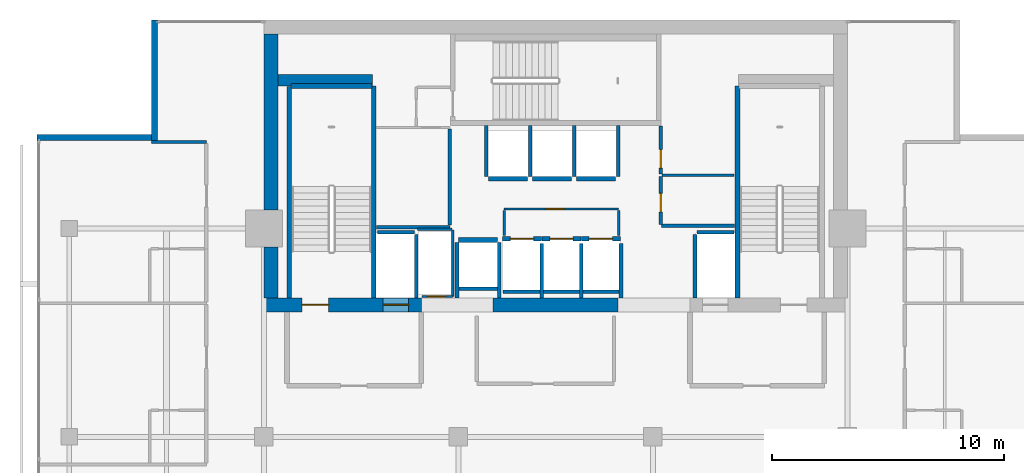
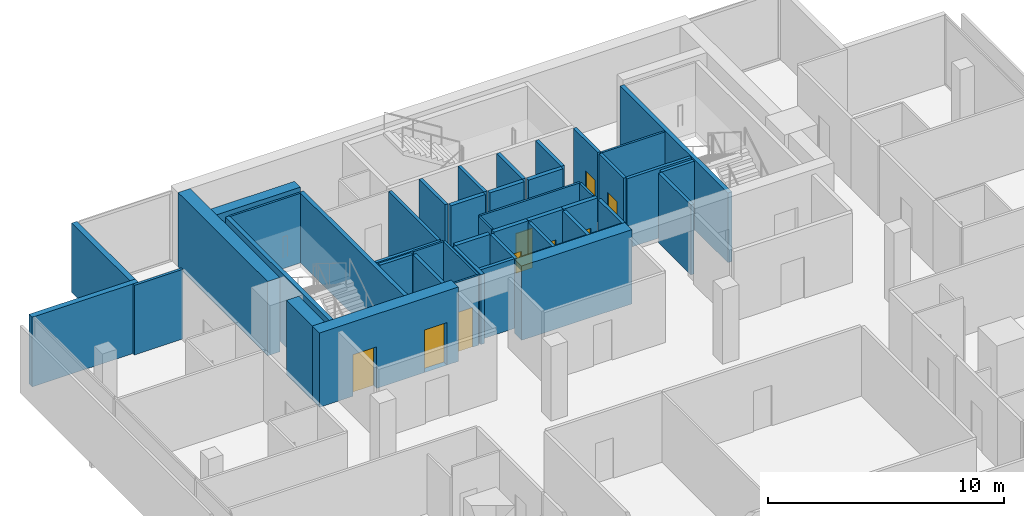
# One storey, part 22 of 25: 46 walls, 9 doors, 9 openings.
"""IFC4 building model written with IfcOpenShell, lengths in metres."""

from ifc_helpers import new_model, si_unit, direction, frame, frame_2d, origin, place, context, subcontext, project, spatial, rectangle, extrude, material, layer, layer_set, type_object, element, fill, save


model = new_model("IFC4")

# Units and contexts
model_context = context("Model", 3, precision=1e-05, world=origin(), true_north=direction((0.0, 1.0)))
body_context = subcontext(model_context, "Body", "Model", "MODEL_VIEW")
ifc_project = project(units=[si_unit("LENGTHUNIT", "METRE"), si_unit("AREAUNIT", "SQUARE_METRE"), si_unit("VOLUMEUNIT", "CUBIC_METRE"), si_unit("PLANEANGLEUNIT", "RADIAN"), si_unit("MASSUNIT", "GRAM", prefix="KILO")], contexts=[model_context])

# Site, building, storey
site_placement = place(None, origin())
site = spatial("IfcSite", under=ifc_project, at=site_placement, CompositionType="ELEMENT")
building_placement = place(site_placement, origin())
building = spatial("IfcBuilding", under=site, at=building_placement, Name="Maruvema Waterfront Hotel and Observation Tower", CompositionType="ELEMENT")
storey_placement = place(building_placement, frame((0.0, 0.0, 247.10009765625)))
storey = spatial("IfcBuildingStorey", under=building, at=storey_placement, Name="L60", CompositionType="ELEMENT", Elevation=247.10009765625)

# Walls
ifc_material_1 = material(Name="Twin-stud acoustic gypsum drywall", Category="gypsum")
ifc_layer_1 = layer(ifc_material_1, 0.14990234375, Name="Acoustic Corridor and Suite Demising Wall 150 mm")
ifc_layer_set_1 = layer_set([ifc_layer_1], Name="Twin-stud acoustic gypsum drywall")
wall_type_1 = type_object("IfcWallType", Name="Acoustic Corridor and Suite Demising Wall 150 mm", PredefinedType="PARTITIONING", material=ifc_layer_set_1)
wall_1_placement = place(storey_placement, frame((30.06005859375, 45.06005859375, 0.0), z_axis=(0.0, 0.0, 1.0), x_axis=(1.0, 0.0, 0.0)))
element("IfcWall", 1, at=wall_1_placement, inside=storey, type_object=wall_type_1, Name="L60 Freed B1 South Wall 013", PredefinedType="PARTITIONING", context=body_context, shape_type="SweptSolid", body=[
    extrude(rectangle(XDim=3.179931640625, YDim=0.14990234375, at=frame_2d((1.58984375, 0.0))), origin(), (0.0, 0.0, 1.0), 3.60986328125),
])
wall_2_placement = place(storey_placement, frame((33.219970703125, 45.139892578125, 0.0), z_axis=(0.0, 0.0, 1.0), x_axis=(0.0, 1.0, 0.0)))
element("IfcWall", 2, at=wall_2_placement, inside=storey, type_object=wall_type_1, Name="L60 Freed B1 East Wall 014", PredefinedType="PARTITIONING", context=body_context, shape_type="SweptSolid", body=[
    extrude(rectangle(XDim=4.16015625, YDim=0.14990234375, at=frame_2d((2.080078125, 0.0))), origin(), (0.0, 0.0, 1.0), 3.60986328125),
])

# Wall, opening, door
wall_3_placement = place(storey_placement, frame((42.340087890625, 45.159912109375, 0.0), z_axis=(0.0, 0.0, 1.0), x_axis=(0.0, 1.0, 0.0)))
wall_3 = element("IfcWall", 3, at=wall_3_placement, inside=storey, type_object=wall_type_1, Name="L60 Freed B2 West S 018", PredefinedType="PARTITIONING", context=body_context, shape_type="SweptSolid", body=[
    extrude(rectangle(XDim=2.080078125, YDim=0.14990234375, at=frame_2d((1.0400390625, 0.0))), origin(), (0.0, 0.0, 1.0), 3.60986328125),
])
opening_1_placement = place(wall_3_placement, frame((0.550048828125, 0.0, 0.0)))
opening_1 = element("IfcOpeningElement", 4, at=opening_1_placement, cuts=wall_3, Name="Opening DR-080", PredefinedType="OPENING", context=body_context, shape_type="SweptSolid", body=[
    extrude(rectangle(XDim=0.800048828125, YDim=2.050048828125, at=frame_2d((0.39990234375, 1.02490234375))), frame((0.0, 0.0849609375, 0.0), z_axis=(0.0, -1.0, 0.0), x_axis=(1.0, 0.0, 0.0)), (0.0, 0.0, 1.0), 0.169921875),
])
ifc_material_2 = material(Name="Powder-coated steel access leaf", Category="steel")
door_type_1 = type_object("IfcDoorType", Name="Riser and Service Cupboard Door 800x2050 mm", OperationType="NOTDEFINED", PredefinedType="DOOR", material=ifc_material_2)
door_1_placement = place(opening_1_placement, frame((0.800048828125, 0.0, 0.0), z_axis=(0.0, 0.0, 1.0), x_axis=(-1.0, 0.0, 0.0)))
door_1 = element("IfcDoor", 5, at=door_1_placement, inside=storey, type_object=door_type_1, Name="L60 Butler Service Pantry Door", OperationType="SINGLE_SWING_RIGHT", OverallHeight=2.050048828125, OverallWidth=0.800048828125, PredefinedType="DOOR", context=body_context, shape_type="SweptSolid", body=[
    extrude(rectangle(XDim=0.800048828125, YDim=2.050048828125, at=frame_2d((0.39990234375, 1.02490234375))), frame((0.0, 0.02490234375, 0.0), z_axis=(0.0, -1.0, 0.0), x_axis=(1.0, 0.0, 0.0)), (0.0, 0.0, 1.0), 0.050048828125),
])
fill(opening_1, door_1)

wall_4_placement = place(storey_placement, frame((42.340087890625, 47.360107421875, 0.0), z_axis=(0.0, 0.0, 1.0), x_axis=(0.0, 1.0, 0.0)))
wall_4 = element("IfcWall", 6, at=wall_4_placement, inside=storey, type_object=wall_type_1, Name="L60 Freed B2 West N 019", PredefinedType="PARTITIONING", context=body_context, shape_type="SweptSolid", body=[
    extrude(rectangle(XDim=2.059814453125, YDim=0.14990234375, at=frame_2d((1.02978515625, 0.0))), origin(), (0.0, 0.0, 1.0), 3.60986328125),
])
opening_2_placement = place(wall_4_placement, frame((0.239990234375, 0.0, 0.0)))
opening_2 = element("IfcOpeningElement", 7, at=opening_2_placement, cuts=wall_4, Name="Opening DR-080", PredefinedType="OPENING", context=body_context, shape_type="SweptSolid", body=[
    extrude(rectangle(XDim=0.800048828125, YDim=2.050048828125, at=frame_2d((0.39990234375, 1.02490234375))), frame((0.0, 0.0849609375, 0.0), z_axis=(0.0, -1.0, 0.0), x_axis=(1.0, 0.0, 0.0)), (0.0, 0.0, 1.0), 0.169921875),
])
door_2_placement = place(opening_2_placement, frame((0.800048828125, 0.0, 0.0), z_axis=(0.0, 0.0, 1.0), x_axis=(-1.0, 0.0, 0.0)))
door_2 = element("IfcDoor", 8, at=door_2_placement, inside=storey, type_object=door_type_1, Name="L60 Core IT and Linen Store Door", OperationType="SINGLE_SWING_LEFT", OverallHeight=2.050048828125, OverallWidth=0.800048828125, PredefinedType="DOOR", context=body_context, shape_type="SweptSolid", body=[
    extrude(rectangle(XDim=0.800048828125, YDim=2.050048828125, at=frame_2d((0.39990234375, 1.02490234375))), frame((0.0, 0.02490234375, 0.0), z_axis=(0.0, -1.0, 0.0), x_axis=(1.0, 0.0, 0.0)), (0.0, 0.0, 1.0), 0.050048828125),
])
fill(opening_2, door_2)

# Walls
wall_5_placement = place(storey_placement, frame((42.3798828125, 45.1201171875, 0.0), z_axis=(0.0, 0.0, 1.0), x_axis=(1.0, 0.0, 0.0)))
element("IfcWall", 9, at=wall_5_placement, inside=storey, type_object=wall_type_1, Name="L60 Freed B2 South Wall 021", PredefinedType="PARTITIONING", context=body_context, shape_type="SweptSolid", body=[
    extrude(rectangle(XDim=3.14013671875, YDim=0.14990234375, at=frame_2d((1.570068359375, 0.0))), origin(), (0.0, 0.0, 1.0), 3.60986328125),
])
ifc_material_3 = material(Name="Precast concrete C45/55", Category="concrete")
ifc_layer_2 = layer(ifc_material_3, 0.199951171875, Name="Core Shaft and Stairwell Enclosure Wall 200 mm")
ifc_layer_set_2 = layer_set([ifc_layer_2], Name="Precast concrete C45/55")
wall_type_2 = type_object("IfcWallType", Name="Core Shaft and Stairwell Enclosure Wall 200 mm", PredefinedType="SOLIDWALL", material=ifc_layer_set_2)
wall_6_placement = place(storey_placement, frame((29.949951171875, 42.0, 0.0), z_axis=(0.0, 0.0, 1.0), x_axis=(0.0, 1.0, 0.0)))
element("IfcWall", 10, at=wall_6_placement, inside=storey, type_object=wall_type_2, Name="L60 Stairwell ST-01 East Shaft Wall", PredefinedType="SOLIDWALL", context=body_context, shape_type="SweptSolid", body=[
    extrude(rectangle(XDim=9.14990234375, YDim=0.199951171875, at=frame_2d((4.574951171875, 0.0))), origin(), (0.0, 0.0, 1.0), 3.60986328125),
])
wall_7_placement = place(storey_placement, frame((26.300048828125, 42.0, 0.0), z_axis=(0.0, 0.0, 1.0), x_axis=(0.0, 1.0, 0.0)))
element("IfcWall", 11, at=wall_7_placement, inside=storey, type_object=wall_type_2, Name="L60 Stairwell ST-01 Shaft Lining Wall", PredefinedType="SOLIDWALL", context=body_context, shape_type="SweptSolid", body=[
    extrude(rectangle(XDim=9.1201171875, YDim=0.199951171875, at=frame_2d((4.56005859375, 0.0))), origin(), (0.0, 0.0, 1.0), 3.60986328125),
])
wall_8_placement = place(storey_placement, frame((26.3798828125, 51.14990234375, 0.0), z_axis=(0.0, 0.0, 1.0), x_axis=(1.0, 0.0, 0.0)))
element("IfcWall", 12, at=wall_8_placement, inside=storey, type_object=wall_type_2, Name="L60 Stairwell ST-01 Shaft Lining Wall", PredefinedType="SOLIDWALL", context=body_context, shape_type="SweptSolid", body=[
    extrude(rectangle(XDim=3.5, YDim=0.199951171875, at=frame_2d((1.75, 0.0))), origin(), (0.0, 0.0, 1.0), 3.60986328125),
])
wall_9_placement = place(storey_placement, frame((45.64990234375, 42.0, 0.0), z_axis=(0.0, 0.0, 1.0), x_axis=(0.0, 1.0, 0.0)))
element("IfcWall", 13, at=wall_9_placement, inside=storey, type_object=wall_type_2, Name="L60 Stairwell ST-03 West Shaft Wall", PredefinedType="SOLIDWALL", context=body_context, shape_type="SweptSolid", body=[
    extrude(rectangle(XDim=9.14990234375, YDim=0.199951171875, at=frame_2d((4.574951171875, 0.0))), origin(), (0.0, 0.0, 1.0), 3.60986328125),
])

# Wall, opening, door
wall_10_placement = place(storey_placement, frame((35.510009765625, 44.550048828125, 0.0), z_axis=(0.0, 0.0, 1.0), x_axis=(1.0, 0.0, 0.0)))
wall_10 = element("IfcWall", 14, at=wall_10_placement, inside=storey, type_object=wall_type_2, Name="L60 Lift LF-09 Hoistway Front Wall", PredefinedType="SOLIDWALL", context=body_context, shape_type="SweptSolid", body=[
    extrude(rectangle(XDim=1.679931640625, YDim=0.199951171875, at=frame_2d((0.83984375, 0.0))), origin(), (0.0, 0.0, 1.0), 3.60986328125),
])
opening_3_placement = place(wall_10_placement, frame((0.340087890625, 0.0, 0.0)))
opening_3 = element("IfcOpeningElement", 15, at=opening_3_placement, cuts=wall_10, Name="Opening LD-01", PredefinedType="OPENING", context=body_context, shape_type="SweptSolid", body=[
    extrude(rectangle(XDim=1.0, YDim=2.14990234375, at=frame_2d((0.5, 1.074951171875))), frame((0.0, 0.10986328125, 0.0), z_axis=(0.0, -1.0, 0.0), x_axis=(1.0, 0.0, 0.0)), (0.0, 0.0, 1.0), 0.219970703125),
])
ifc_material_4 = material(Name="Brushed stainless steel Grade 316", Category="steel")
door_type_2 = type_object("IfcDoorType", Name="Passenger Lift Sliding Landing Door 1000x2150 mm", OperationType="SLIDING_TO_LEFT", PredefinedType="DOOR", material=ifc_material_4)
door_3_placement = place(opening_3_placement, origin())
door_3 = element("IfcDoor", 16, at=door_3_placement, inside=storey, type_object=door_type_2, Name="L60 Lift LF-09 Sliding Landing Door", OperationType="SLIDING_TO_LEFT", OverallHeight=2.14990234375, OverallWidth=1.0, PredefinedType="DOOR", context=body_context, shape_type="SweptSolid", body=[
    extrude(rectangle(XDim=1.0, YDim=2.14990234375, at=frame_2d((0.5, 1.074951171875))), frame((0.0, 0.02490234375, 0.0), z_axis=(0.0, -1.0, 0.0), x_axis=(1.0, 0.0, 0.0)), (0.0, 0.0, 1.0), 0.050048828125),
])
fill(opening_3, door_3)

wall_11_placement = place(storey_placement, frame((37.2099609375, 44.550048828125, 0.0), z_axis=(0.0, 0.0, 1.0), x_axis=(1.0, 0.0, 0.0)))
wall_11 = element("IfcWall", 17, at=wall_11_placement, inside=storey, type_object=wall_type_2, Name="L60 Lift LF-10 Hoistway Front Wall", PredefinedType="SOLIDWALL", context=body_context, shape_type="SweptSolid", body=[
    extrude(rectangle(XDim=1.679931640625, YDim=0.199951171875, at=frame_2d((0.83984375, 0.0))), origin(), (0.0, 0.0, 1.0), 3.60986328125),
])
opening_4_placement = place(wall_11_placement, frame((0.340087890625, 0.0, 0.0)))
opening_4 = element("IfcOpeningElement", 18, at=opening_4_placement, cuts=wall_11, Name="Opening LD-01", PredefinedType="OPENING", context=body_context, shape_type="SweptSolid", body=[
    extrude(rectangle(XDim=1.0, YDim=2.14990234375, at=frame_2d((0.5, 1.074951171875))), frame((0.0, 0.10986328125, 0.0), z_axis=(0.0, -1.0, 0.0), x_axis=(1.0, 0.0, 0.0)), (0.0, 0.0, 1.0), 0.219970703125),
])
door_4_placement = place(opening_4_placement, origin())
door_4 = element("IfcDoor", 19, at=door_4_placement, inside=storey, type_object=door_type_2, Name="L60 Lift LF-10 Sliding Landing Door", OperationType="SLIDING_TO_LEFT", OverallHeight=2.14990234375, OverallWidth=1.0, PredefinedType="DOOR", context=body_context, shape_type="SweptSolid", body=[
    extrude(rectangle(XDim=1.0, YDim=2.14990234375, at=frame_2d((0.5, 1.074951171875))), frame((0.0, 0.02490234375, 0.0), z_axis=(0.0, -1.0, 0.0), x_axis=(1.0, 0.0, 0.0)), (0.0, 0.0, 1.0), 0.050048828125),
])
fill(opening_4, door_4)

wall_12_placement = place(storey_placement, frame((38.909912109375, 44.550048828125, 0.0), z_axis=(0.0, 0.0, 1.0), x_axis=(1.0, 0.0, 0.0)))
wall_12 = element("IfcWall", 20, at=wall_12_placement, inside=storey, type_object=wall_type_2, Name="L60 Lift LF-11 Hoistway Front Wall", PredefinedType="SOLIDWALL", context=body_context, shape_type="SweptSolid", body=[
    extrude(rectangle(XDim=1.68017578125, YDim=0.199951171875, at=frame_2d((0.840087890625, 0.0))), origin(), (0.0, 0.0, 1.0), 3.60986328125),
])
opening_5_placement = place(wall_12_placement, frame((0.340087890625, 0.0, 0.0)))
opening_5 = element("IfcOpeningElement", 21, at=opening_5_placement, cuts=wall_12, Name="Opening LD-01", PredefinedType="OPENING", context=body_context, shape_type="SweptSolid", body=[
    extrude(rectangle(XDim=1.0, YDim=2.14990234375, at=frame_2d((0.5, 1.074951171875))), frame((0.0, 0.10986328125, 0.0), z_axis=(0.0, -1.0, 0.0), x_axis=(1.0, 0.0, 0.0)), (0.0, 0.0, 1.0), 0.219970703125),
])
door_5_placement = place(opening_5_placement, origin())
door_5 = element("IfcDoor", 22, at=door_5_placement, inside=storey, type_object=door_type_2, Name="L60 Lift LF-11 Sliding Landing Door", OperationType="SLIDING_TO_LEFT", OverallHeight=2.14990234375, OverallWidth=1.0, PredefinedType="DOOR", context=body_context, shape_type="SweptSolid", body=[
    extrude(rectangle(XDim=1.0, YDim=2.14990234375, at=frame_2d((0.5, 1.074951171875))), frame((0.0, 0.02490234375, 0.0), z_axis=(0.0, -1.0, 0.0), x_axis=(1.0, 0.0, 0.0)), (0.0, 0.0, 1.0), 0.050048828125),
])
fill(opening_5, door_5)

# Walls
wall_13_placement = place(storey_placement, frame((34.909912109375, 47.14990234375, 0.0), z_axis=(0.0, 0.0, 1.0), x_axis=(1.0, 0.0, 0.0)))
element("IfcWall", 23, at=wall_13_placement, inside=storey, type_object=wall_type_2, Name="L60 Lift LF-12 Hoistway Front Wall", PredefinedType="SOLIDWALL", context=body_context, shape_type="SweptSolid", body=[
    extrude(rectangle(XDim=1.68017578125, YDim=0.199951171875, at=frame_2d((0.840087890625, 0.0))), origin(), (0.0, 0.0, 1.0), 3.60986328125),
])
for number, where, z_axis, x_axis, name in (
    (24, (36.81005859375, 47.14990234375, 0.0), (0.0, 0.0, 1.0), (1.0, 0.0, 0.0), "L60 Lift LF-13 Hoistway Front Wall"),
    (25, (38.7099609375, 47.14990234375, 0.0), (0.0, 0.0, 1.0), (1.0, 0.0, 0.0), "L60 Lift LF-14 Hoistway Front Wall"),
    (26, (33.610107421875, 44.5, 0.0), (0.0, 0.0, 1.0), (1.0, 0.0, 0.0), "L60 Lift LF-15 Hoistway Front Wall"),
):
    element("IfcWall", number, at=place(storey_placement, frame(where, z_axis=z_axis, x_axis=x_axis)), inside=storey, type_object=wall_type_2, Name=name, PredefinedType="SOLIDWALL", context=body_context, shape_type="SweptSolid", body=[
        extrude(rectangle(XDim=1.679931640625, YDim=0.199951171875, at=frame_2d((0.83984375, 0.0))), origin(), (0.0, 0.0, 1.0), 3.60986328125),
    ])
ifc_material_5 = material(Name="Concrete C70/85", Category="concrete")
ifc_layer_3 = layer(ifc_material_5, 0.5, Name="Core Shear Wall 500 mm")
ifc_layer_set_3 = layer_set([ifc_layer_3], Name="Concrete C70/85")
wall_type_3 = type_object("IfcWallType", Name="Core Shear Wall 500 mm", PredefinedType="SHEAR", material=ifc_layer_set_3)
wall_14_placement = place(storey_placement, frame((25.800048828125, 51.39990234375, 0.0), z_axis=(0.0, 0.0, 1.0), x_axis=(1.0, 0.0, 0.0)))
element("IfcWall", 27, at=wall_14_placement, inside=storey, type_object=wall_type_3, Name="L60 Internal Core Shear Wall NW 500 mm", PredefinedType="SHEAR", context=body_context, shape_type="SweptSolid", body=[
    extrude(rectangle(XDim=4.099853515625, YDim=0.5, at=frame_2d((2.0498046875, 0.0))), origin(), (0.0, 0.0, 1.0), 3.849853515625),
])

# Wall, openings, doors
ifc_material_6 = material(Name="Concrete C60/75", Category="concrete")
ifc_layer_4 = layer(ifc_material_6, 0.60009765625, Name="Core Shear Wall 600 mm")
ifc_layer_set_4 = layer_set([ifc_layer_4], Name="Concrete C60/75")
wall_type_4 = type_object("IfcWallType", Name="Core Shear Wall 600 mm", PredefinedType="SHEAR", material=ifc_layer_set_4)
wall_15_placement = place(storey_placement, frame((25.199951171875, 41.699951171875, 0.0), z_axis=(0.0, 0.0, 1.0), x_axis=(1.0, 0.0, 0.0)))
wall_15 = element("IfcWall", 28, at=wall_15_placement, inside=storey, type_object=wall_type_4, Name="L60 South-West Core Shear Wall", PredefinedType="SHEAR", context=body_context, shape_type="SweptSolid", body=[
    extrude(rectangle(XDim=6.800048828125, YDim=0.60009765625, at=frame_2d((3.39990234375, 0.0))), origin(), (0.0, 0.0, 1.0), 3.849853515625),
])
opening_6_placement = place(wall_15_placement, frame((1.64990234375, 0.0, 0.0)))
opening_6 = element("IfcOpeningElement", 29, at=opening_6_placement, cuts=wall_15, Name="Opening SD-01", PredefinedType="OPENING", context=body_context, shape_type="SweptSolid", body=[
    extrude(rectangle(XDim=1.14990234375, YDim=2.14990234375, at=frame_2d((0.574951171875, 1.074951171875))), frame((0.0, 0.31005859375, 0.0), z_axis=(0.0, -1.0, 0.0), x_axis=(1.0, 0.0, 0.0)), (0.0, 0.0, 1.0), 0.6201171875),
])
opening_7_placement = place(wall_15_placement, frame((5.14990234375, 0.0, 0.0)))
opening_7 = element("IfcOpeningElement", 30, at=opening_7_placement, cuts=wall_15, Name="Opening LD-03", PredefinedType="OPENING", context=body_context, shape_type="SweptSolid", body=[
    extrude(rectangle(XDim=1.10009765625, YDim=2.199951171875, at=frame_2d((0.550048828125, 1.10009765625))), frame((0.0, 0.31005859375, 0.0), z_axis=(0.0, -1.0, 0.0), x_axis=(1.0, 0.0, 0.0)), (0.0, 0.0, 1.0), 0.6201171875),
])
ifc_material_7 = material(Name="Fire-rated galvanised steel leaf", Category="steel")
door_type_3 = type_object("IfcDoorType", Name="Exit Stair Fire Door 1150x2150 mm", OperationType="NOTDEFINED", PredefinedType="DOOR", material=ifc_material_7)
door_6_placement = place(opening_6_placement, origin())
door_6 = element("IfcDoor", 31, at=door_6_placement, inside=storey, type_object=door_type_3, Name="L60 Exit Stair ST-01 Fire Door", OperationType="SINGLE_SWING_LEFT", OverallHeight=2.14990234375, OverallWidth=1.14990234375, PredefinedType="DOOR", context=body_context, shape_type="SweptSolid", body=[
    extrude(rectangle(XDim=1.14990234375, YDim=2.14990234375, at=frame_2d((0.574951171875, 1.074951171875))), frame((0.0, 0.02490234375, 0.0), z_axis=(0.0, -1.0, 0.0), x_axis=(1.0, 0.0, 0.0)), (0.0, 0.0, 1.0), 0.050048828125),
])
fill(opening_6, door_6)
ifc_material_8 = material(Name="Brushed stainless steel Grade 316", Category="steel")
door_type_4 = type_object("IfcDoorType", Name="Firefighting Lift Sliding Landing Door 1100x2200 mm", OperationType="SLIDING_TO_LEFT", PredefinedType="DOOR", material=ifc_material_8)
door_7_placement = place(opening_7_placement, frame((1.10009765625, 0.0, 0.0), z_axis=(0.0, 0.0, 1.0), x_axis=(-1.0, 0.0, 0.0)))
door_7 = element("IfcDoor", 32, at=door_7_placement, inside=storey, type_object=door_type_4, Name="L60 Firefighting Lift FL-01 Landing Door", OperationType="SLIDING_TO_LEFT", OverallHeight=2.199951171875, OverallWidth=1.10009765625, PredefinedType="DOOR", context=body_context, shape_type="SweptSolid", body=[
    extrude(rectangle(XDim=1.10009765625, YDim=2.199951171875, at=frame_2d((0.550048828125, 1.10009765625))), frame((0.0, 0.02490234375, 0.0), z_axis=(0.0, -1.0, 0.0), x_axis=(1.0, 0.0, 0.0)), (0.0, 0.0, 1.0), 0.050048828125),
])
fill(opening_7, door_7)

# Walls
wall_16_placement = place(storey_placement, frame((35.10009765625, 41.699951171875, 0.0), z_axis=(0.0, 0.0, 1.0), x_axis=(1.0, 0.0, 0.0)))
element("IfcWall", 33, at=wall_16_placement, inside=storey, type_object=wall_type_4, Name="L60 South-Central Core Shear Wall", PredefinedType="SHEAR", context=body_context, shape_type="SweptSolid", body=[
    extrude(rectangle(XDim=5.39990234375, YDim=0.60009765625, at=frame_2d((2.699951171875, 0.0))), origin(), (0.0, 0.0, 1.0), 3.849853515625),
])
wall_17_placement = place(storey_placement, frame((25.5, 42.0, 0.0), z_axis=(0.0, 0.0, 1.0), x_axis=(0.0, 1.0, 0.0)))
element("IfcWall", 34, at=wall_17_placement, inside=storey, type_object=wall_type_4, Name="L60 West-South Core Shear Wall", PredefinedType="SHEAR", context=body_context, shape_type="SweptSolid", body=[
    extrude(rectangle(XDim=2.199951171875, YDim=0.60009765625, at=frame_2d((1.10009765625, 0.0))), origin(), (0.0, 0.0, 1.0), 3.849853515625),
])
wall_18_placement = place(storey_placement, frame((25.5, 45.800048828125, 0.0), z_axis=(0.0, 0.0, 1.0), x_axis=(0.0, 1.0, 0.0)))
element("IfcWall", 35, at=wall_18_placement, inside=storey, type_object=wall_type_4, Name="L60 West-North Core Shear Wall", PredefinedType="SHEAR", context=body_context, shape_type="SweptSolid", body=[
    extrude(rectangle(XDim=7.599853515625, YDim=0.60009765625, at=frame_2d((3.7998046875, 0.0))), origin(), (0.0, 0.0, 1.0), 3.849853515625),
])

# Wall, opening, door
ifc_material_9 = material(Name="Moisture-resistant cement-board drywall", Category="gypsum")
ifc_layer_5 = layer(ifc_material_9, 0.10009765625, Name="En-Suite Moisture-Resistant Partition 100 mm")
ifc_layer_set_5 = layer_set([ifc_layer_5], Name="Moisture-resistant cement-board drywall")
wall_type_5 = type_object("IfcWallType", Name="En-Suite Moisture-Resistant Partition 100 mm", PredefinedType="PARTITIONING", material=ifc_layer_set_5)
wall_19_placement = place(storey_placement, frame((32.02001953125, 42.06005859375, 0.0), z_axis=(0.0, 0.0, 1.0), x_axis=(1.0, 0.0, 0.0)))
wall_19 = element("IfcWall", 36, at=wall_19_placement, inside=storey, type_object=wall_type_5, Name="L60 Telecom Riser South Wall 007", PredefinedType="PARTITIONING", context=body_context, shape_type="SweptSolid", body=[
    extrude(rectangle(XDim=1.320068359375, YDim=0.10009765625, at=frame_2d((0.66015625, 0.0))), origin(), (0.0, 0.0, 1.0), 3.60986328125),
])
opening_8_placement = place(wall_19_placement, frame((0.239990234375, 0.0, 0.0)))
opening_8 = element("IfcOpeningElement", 37, at=opening_8_placement, cuts=wall_19, Name="Opening DR-080", PredefinedType="OPENING", context=body_context, shape_type="SweptSolid", body=[
    extrude(rectangle(XDim=0.800048828125, YDim=2.050048828125, at=frame_2d((0.39990234375, 1.02490234375))), frame((0.0, 0.06005859375, 0.0), z_axis=(0.0, -1.0, 0.0), x_axis=(1.0, 0.0, 0.0)), (0.0, 0.0, 1.0), 0.1201171875),
])
door_8_placement = place(opening_8_placement, frame((0.800048828125, 0.0, 0.0), z_axis=(0.0, 0.0, 1.0), x_axis=(-1.0, 0.0, 0.0)))
door_8 = element("IfcDoor", 38, at=door_8_placement, inside=storey, type_object=door_type_1, Name="L60 Telecom Riser Door", OperationType="SINGLE_SWING_RIGHT", OverallHeight=2.050048828125, OverallWidth=0.800048828125, PredefinedType="DOOR", context=body_context, shape_type="SweptSolid", body=[
    extrude(rectangle(XDim=0.800048828125, YDim=2.050048828125, at=frame_2d((0.39990234375, 1.02490234375))), frame((0.0, 0.02490234375, 0.0), z_axis=(0.0, -1.0, 0.0), x_axis=(1.0, 0.0, 0.0)), (0.0, 0.0, 1.0), 0.050048828125),
])
fill(opening_8, door_8)

# Walls
wall_20_placement = place(storey_placement, frame((31.840087890625, 44.9599609375, 0.0), z_axis=(0.0, 0.0, 1.0), x_axis=(1.0, 0.0, 0.0)))
element("IfcWall", 39, at=wall_20_placement, inside=storey, type_object=wall_type_5, Name="L60 Telecom Riser North Wall 008", PredefinedType="PARTITIONING", context=body_context, shape_type="SweptSolid", body=[
    extrude(rectangle(XDim=1.47998046875, YDim=0.10009765625, at=frame_2d((0.739990234375, 0.0))), origin(), (0.0, 0.0, 1.0), 3.60986328125),
])
wall_21_placement = place(storey_placement, frame((33.360107421875, 42.06005859375, 0.0), z_axis=(0.0, 0.0, 1.0), x_axis=(0.0, 1.0, 0.0)))
element("IfcWall", 40, at=wall_21_placement, inside=storey, type_object=wall_type_5, Name="L60 Telecom Riser East Wall 009", PredefinedType="PARTITIONING", context=body_context, shape_type="SweptSolid", body=[
    extrude(rectangle(XDim=2.8798828125, YDim=0.10009765625, at=frame_2d((1.43994140625, 0.0))), origin(), (0.0, 0.0, 1.0), 3.60986328125),
])

# Wall, opening, door
wall_22_placement = place(storey_placement, frame((35.580078125, 45.840087890625, 0.0), z_axis=(0.0, 0.0, 1.0), x_axis=(1.0, 0.0, 0.0)))
wall_22 = element("IfcWall", 41, at=wall_22_placement, inside=storey, type_object=wall_type_5, Name="L60 Core Closet K0 North 010", PredefinedType="PARTITIONING", context=body_context, shape_type="SweptSolid", body=[
    extrude(rectangle(XDim=4.93994140625, YDim=0.10009765625, at=frame_2d((2.469970703125, 0.0))), origin(), (0.0, 0.0, 1.0), 3.60986328125),
])
opening_9_placement = place(wall_22_placement, frame((1.800048828125, 0.0, 0.0)))
opening_9 = element("IfcOpeningElement", 42, at=opening_9_placement, cuts=wall_22, Name="Opening DR-080", PredefinedType="OPENING", context=body_context, shape_type="SweptSolid", body=[
    extrude(rectangle(XDim=0.800048828125, YDim=2.050048828125, at=frame_2d((0.39990234375, 1.02490234375))), frame((0.0, 0.06005859375, 0.0), z_axis=(0.0, -1.0, 0.0), x_axis=(1.0, 0.0, 0.0)), (0.0, 0.0, 1.0), 0.1201171875),
])
door_9_placement = place(opening_9_placement, origin())
door_9 = element("IfcDoor", 43, at=door_9_placement, inside=storey, type_object=door_type_1, Name="L60 Core Electrical Closet Door", OperationType="SINGLE_SWING_LEFT", OverallHeight=2.050048828125, OverallWidth=0.800048828125, PredefinedType="DOOR", context=body_context, shape_type="SweptSolid", body=[
    extrude(rectangle(XDim=0.800048828125, YDim=2.050048828125, at=frame_2d((0.39990234375, 1.02490234375))), frame((0.0, 0.02490234375, 0.0), z_axis=(0.0, -1.0, 0.0), x_axis=(1.0, 0.0, 0.0)), (0.0, 0.0, 1.0), 0.050048828125),
])
fill(opening_9, door_9)

# Walls
for number, where, z_axis, x_axis, name in (
    (44, (35.580078125, 44.699951171875, 0.0), (0.0, 0.0, 1.0), (0.0, 1.0, 0.0), "L60 Core Closet K0 West 011"),
    (45, (40.52001953125, 44.699951171875, 0.0), (0.0, 0.0, 1.0), (0.0, 1.0, 0.0), "L60 Core Closet K0 East 012"),
):
    element("IfcWall", number, at=place(storey_placement, frame(where, z_axis=z_axis, x_axis=x_axis)), inside=storey, type_object=wall_type_5, Name=name, PredefinedType="PARTITIONING", context=body_context, shape_type="SweptSolid", body=[
        extrude(rectangle(XDim=1.080078125, YDim=0.10009765625, at=frame_2d((0.5400390625, 0.0))), origin(), (0.0, 0.0, 1.0), 3.60986328125),
    ])
wall_23_placement = place(storey_placement, frame((42.39990234375, 47.300048828125, 0.0), z_axis=(0.0, 0.0, 1.0), x_axis=(1.0, 0.0, 0.0)))
element("IfcWall", 46, at=wall_23_placement, inside=storey, type_object=wall_type_5, Name="L60 Freed B2 Split 020", PredefinedType="PARTITIONING", context=body_context, shape_type="SweptSolid", body=[
    extrude(rectangle(XDim=3.10009765625, YDim=0.10009765625, at=frame_2d((1.550048828125, 0.0))), origin(), (0.0, 0.0, 1.0), 3.60986328125),
])
ifc_material_10 = material(Name="Precast concrete C45/55 with honed Pernambuco granite facing", Category="masonry")
ifc_layer_6 = layer(ifc_material_10, 0.260009765625, Name="Exterior Granite Clad Spandrel and Pier Wall 260 mm")
ifc_layer_set_6 = layer_set([ifc_layer_6], Name="Precast concrete C45/55 with honed Pernambuco granite facing")
wall_type_6 = type_object("IfcWallType", Name="Exterior Granite Clad Spandrel and Pier Wall 260 mm", PredefinedType="SOLIDWALL", material=ifc_layer_set_6)
wall_24_placement = place(storey_placement, frame((20.469970703125, 48.800048828125, 0.0), z_axis=(0.0, 0.0, 1.0), x_axis=(0.0, 1.0, 0.0)))
element("IfcWall", 47, at=wall_24_placement, inside=storey, type_object=wall_type_6, Name="L60 Corner Notch Granite Pier Wall NW1", PredefinedType="SOLIDWALL", context=body_context, shape_type="SweptSolid", body=[
    extrude(rectangle(XDim=5.199951171875, YDim=0.260009765625, at=frame_2d((2.60009765625, 0.0))), origin(), (0.0, 0.0, 1.0), 3.60986328125),
])
wall_25_placement = place(storey_placement, frame((15.39990234375, 48.929931640625, 0.0), z_axis=(0.0, 0.0, 1.0), x_axis=(1.0, 0.0, 0.0)))
element("IfcWall", 48, at=wall_25_placement, inside=storey, type_object=wall_type_6, Name="L60 Corner Notch Granite Pier Wall NW2", PredefinedType="SOLIDWALL", context=body_context, shape_type="SweptSolid", body=[
    extrude(rectangle(XDim=5.2001953125, YDim=0.260009765625, at=frame_2d((2.60009765625, 0.0))), origin(), (0.0, 0.0, 1.0), 3.60986328125),
])
ifc_material_11 = material(Name="Acoustic gypsum plasterboard drywall", Category="gypsum")
ifc_layer_7 = layer(ifc_material_11, 0.125, Name="Guestroom Acoustic Demising Wall 125 mm")
ifc_layer_set_7 = layer_set([ifc_layer_7], Name="Acoustic gypsum plasterboard drywall")
wall_type_7 = type_object("IfcWallType", Name="Guestroom Acoustic Demising Wall 125 mm", PredefinedType="PARTITIONING", material=ifc_layer_set_7)
wall_26_placement = place(storey_placement, frame((20.340087890625, 48.737548828125, 0.0), z_axis=(0.0, 0.0, 1.0), x_axis=(1.0, 0.0, 0.0)))
element("IfcWall", 49, at=wall_26_placement, inside=storey, type_object=wall_type_7, Name="L60 Z3 NW Top End 086", PredefinedType="PARTITIONING", context=body_context, shape_type="SweptSolid", body=[
    extrude(rectangle(XDim=2.3798828125, YDim=0.125, at=frame_2d((1.18994140625, 0.0))), origin(), (0.0, 0.0, 1.0), 3.60986328125),
])
ifc_material_12 = material(Name="Precast concrete C45/55", Category="concrete")
ifc_layer_8 = layer(ifc_material_12, 0.159912109375, Name="Lift Hoistway Divider Wall 160 mm")
ifc_layer_set_8 = layer_set([ifc_layer_8], Name="Precast concrete C45/55")
wall_type_8 = type_object("IfcWallType", Name="Lift Hoistway Divider Wall 160 mm", PredefinedType="SOLIDWALL", material=ifc_layer_set_8)
wall_27_placement = place(storey_placement, frame((30.10009765625, 44.830078125, 0.0), z_axis=(0.0, 0.0, 1.0), x_axis=(1.0, 0.0, 0.0)))
element("IfcWall", 50, at=wall_27_placement, inside=storey, type_object=wall_type_8, Name="L60 Lift FL-01 Rear Hoistway Wall", PredefinedType="SOLIDWALL", context=body_context, shape_type="SweptSolid", body=[
    extrude(rectangle(XDim=1.599853515625, YDim=0.159912109375, at=frame_2d((0.7998046875, 0.0))), origin(), (0.0, 0.0, 1.0), 3.60986328125),
])
wall_28_placement = place(storey_placement, frame((31.780029296875, 42.0, 0.0), z_axis=(0.0, 0.0, 1.0), x_axis=(0.0, 1.0, 0.0)))
element("IfcWall", 51, at=wall_28_placement, inside=storey, type_object=wall_type_8, Name="L60 Lift FL-01 Inner Hoistway Wall", PredefinedType="SOLIDWALL", context=body_context, shape_type="SweptSolid", body=[
    extrude(rectangle(XDim=2.739990234375, YDim=0.159912109375, at=frame_2d((1.3701171875, 0.0))), origin(), (0.0, 0.0, 1.0), 3.60986328125),
])
wall_29_placement = place(storey_placement, frame((43.89990234375, 44.830078125, 0.0), z_axis=(0.0, 0.0, 1.0), x_axis=(1.0, 0.0, 0.0)))
element("IfcWall", 52, at=wall_29_placement, inside=storey, type_object=wall_type_8, Name="L60 Lift FL-02 Rear Hoistway Wall", PredefinedType="SOLIDWALL", context=body_context, shape_type="SweptSolid", body=[
    extrude(rectangle(XDim=1.60009765625, YDim=0.159912109375, at=frame_2d((0.800048828125, 0.0))), origin(), (0.0, 0.0, 1.0), 3.60986328125),
])
wall_30_placement = place(storey_placement, frame((43.820068359375, 42.0, 0.0), z_axis=(0.0, 0.0, 1.0), x_axis=(0.0, 1.0, 0.0)))
element("IfcWall", 53, at=wall_30_placement, inside=storey, type_object=wall_type_8, Name="L60 Lift FL-02 Inner Hoistway Wall", PredefinedType="SOLIDWALL", context=body_context, shape_type="SweptSolid", body=[
    extrude(rectangle(XDim=2.739990234375, YDim=0.159912109375, at=frame_2d((1.3701171875, 0.0))), origin(), (0.0, 0.0, 1.0), 3.60986328125),
])
for number, where, z_axis, x_axis, name in (
    (54, (37.199951171875, 42.0, 0.0), (0.0, 0.0, 1.0), (0.0, 1.0, 0.0), "L60 Hoistway Divider Wall"),
    (55, (38.89990234375, 42.0, 0.0), (0.0, 0.0, 1.0), (0.0, 1.0, 0.0), "L60 Hoistway Divider Wall"),
    (56, (40.6201171875, 42.0, 0.0), (0.0, 0.0, 1.0), (0.0, 1.0, 0.0), "L60 Hoistway Divider Wall"),
):
    element("IfcWall", number, at=place(storey_placement, frame(where, z_axis=z_axis, x_axis=x_axis)), inside=storey, type_object=wall_type_8, Name=name, PredefinedType="SOLIDWALL", context=body_context, shape_type="SweptSolid", body=[
        extrude(rectangle(XDim=2.35009765625, YDim=0.159912109375, at=frame_2d((1.175048828125, 0.0))), origin(), (0.0, 0.0, 1.0), 3.60986328125),
    ])
wall_31_placement = place(storey_placement, frame((35.52001953125, 42.260009765625, 0.0), z_axis=(0.0, 0.0, 1.0), x_axis=(1.0, 0.0, 0.0)))
element("IfcWall", 57, at=wall_31_placement, inside=storey, type_object=wall_type_8, Name="L60 Hoistway Divider Wall", PredefinedType="SOLIDWALL", context=body_context, shape_type="SweptSolid", body=[
    extrude(rectangle(XDim=5.02001953125, YDim=0.159912109375, at=frame_2d((2.510009765625, 0.0))), origin(), (0.0, 0.0, 1.0), 3.60986328125),
])
for number, where, z_axis, x_axis, name in (
    (58, (34.800048828125, 47.25, 0.0), (0.0, 0.0, 1.0), (0.0, 1.0, 0.0), "L60 Hoistway Divider Wall"),
    (59, (36.699951171875, 47.25, 0.0), (0.0, 0.0, 1.0), (0.0, 1.0, 0.0), "L60 Hoistway Divider Wall"),
    (60, (38.60009765625, 47.25, 0.0), (0.0, 0.0, 1.0), (0.0, 1.0, 0.0), "L60 Hoistway Divider Wall"),
    (61, (40.5, 47.25, 0.0), (0.0, 0.0, 1.0), (0.0, 1.0, 0.0), "L60 Hoistway Divider Wall"),
):
    element("IfcWall", number, at=place(storey_placement, frame(where, z_axis=z_axis, x_axis=x_axis)), inside=storey, type_object=wall_type_8, Name=name, PredefinedType="SOLIDWALL", context=body_context, shape_type="SweptSolid", body=[
        extrude(rectangle(XDim=2.18994140625, YDim=0.159912109375, at=frame_2d((1.094970703125, 0.0))), origin(), (0.0, 0.0, 1.0), 3.60986328125),
    ])
for number, where, z_axis, x_axis, name in (
    (62, (33.5400390625, 42.0, 0.0), (0.0, 0.0, 1.0), (0.0, 1.0, 0.0), "L60 Hoistway Divider Wall"),
    (63, (35.360107421875, 42.0, 0.0), (0.0, 0.0, 1.0), (0.0, 1.0, 0.0), "L60 Hoistway Divider Wall"),
):
    element("IfcWall", number, at=place(storey_placement, frame(where, z_axis=z_axis, x_axis=x_axis)), inside=storey, type_object=wall_type_8, Name=name, PredefinedType="SOLIDWALL", context=body_context, shape_type="SweptSolid", body=[
        extrude(rectangle(XDim=2.39990234375, YDim=0.159912109375, at=frame_2d((1.199951171875, 0.0))), origin(), (0.0, 0.0, 1.0), 3.60986328125),
    ])
wall_32_placement = place(storey_placement, frame((33.6201171875, 42.39990234375, 0.0), z_axis=(0.0, 0.0, 1.0), x_axis=(1.0, 0.0, 0.0)))
element("IfcWall", 64, at=wall_32_placement, inside=storey, type_object=wall_type_8, Name="L60 Hoistway Divider Wall", PredefinedType="SOLIDWALL", context=body_context, shape_type="SweptSolid", body=[
    extrude(rectangle(XDim=1.659912109375, YDim=0.159912109375, at=frame_2d((0.830078125, 0.0))), origin(), (0.0, 0.0, 1.0), 3.60986328125),
])

save(model, "model.ifc")
